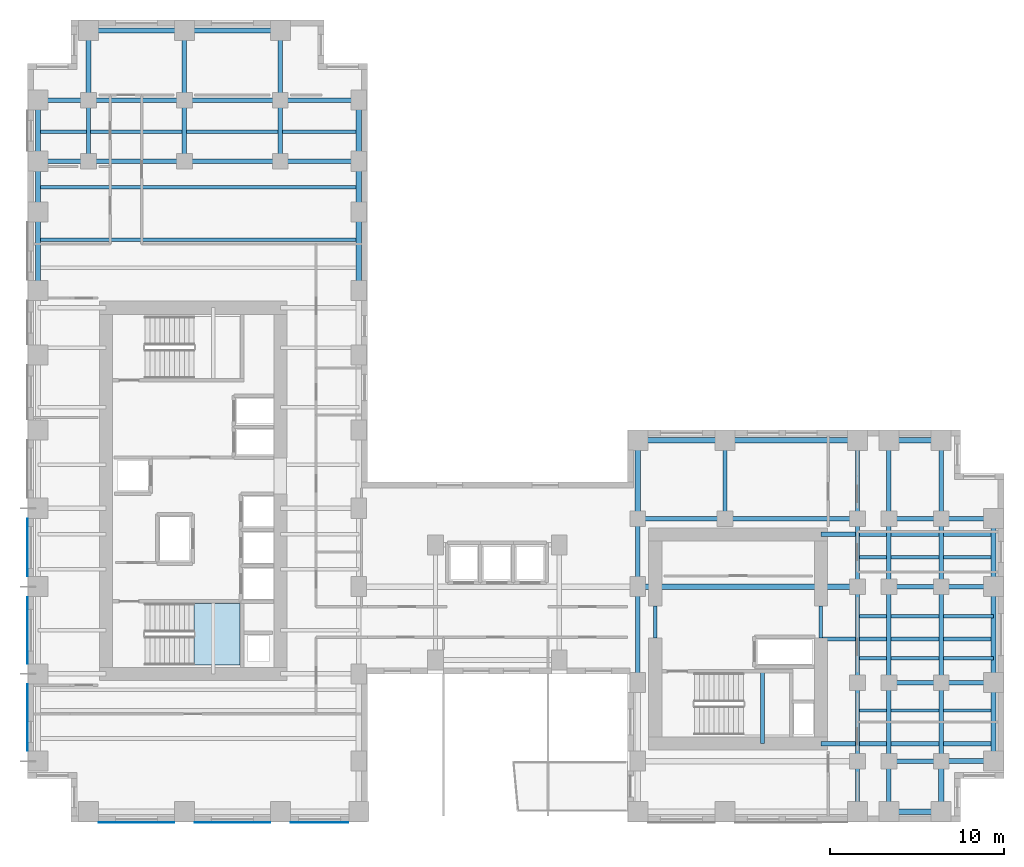
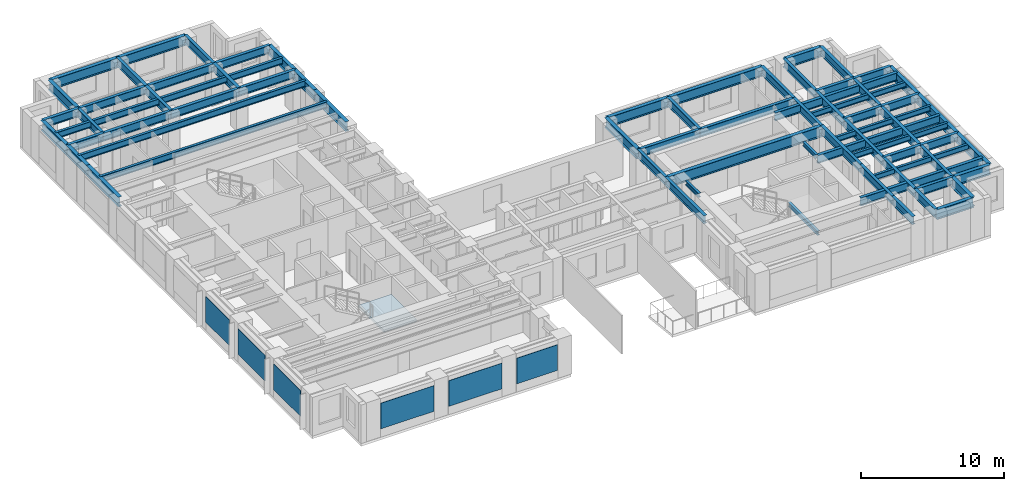
# One storey, part 2 of 12: 72 beams, 6 plates, 1 slab, 1 element without a shape of its own.
"""IFC4 building model written with IfcOpenShell, lengths in metres."""

import ifcopenshell
import ifcopenshell.guid

model = None  # the IFC model being written
_history = None  # IfcOwnerHistory: only IFC2X3 demands one
_inside = {}  # id of a spatial element -> (the spatial element, [elements in it])
_under = {}  # id of a project, library or spatial element -> (it, [spatial elements below it])
_declared = {}  # id of a project -> (the project, [libraries it declares])
_typed = {}  # id of a type object -> (the type object, [elements of that type])
_made_of = {}  # id of a material, layer set ... -> (it, [elements and type objects made of it])


def new_model(schema):
    """Start an empty IFC model of exactly this schema.

    Asked for "IFC4X3", IfcOpenShell would pick the latest addendum, in which some entities
    have other attributes; the version numbers below select the first issue.
    IFC2X3 requires an IfcOwnerHistory on every rooted entity: one is made here for all.
    """
    global model, _history
    if schema == "IFC4X3":
        model = ifcopenshell.file(schema_version=(4, 3, 0, 0))
    else:
        model = ifcopenshell.file(schema=schema)
    _inside.clear()
    _under.clear()
    _declared.clear()
    _typed.clear()
    _made_of.clear()
    _history = None
    if model.schema == "IFC2X3":
        org = make("IfcOrganization", Name="unknown")
        user = make(
            "IfcPersonAndOrganization",
            ThePerson=make("IfcPerson", FamilyName="unknown"),
            TheOrganization=org,
        )
        app = make(
            "IfcApplication",
            ApplicationDeveloper=org,
            Version="unknown",
            ApplicationFullName="unknown",
            ApplicationIdentifier="unknown",
        )
        _history = make(
            "IfcOwnerHistory",
            OwningUser=user,
            OwningApplication=app,
            ChangeAction="ADDED",
            CreationDate=0,
        )
    return model


def make(cls, **values):
    """One entity of the class cls with the attributes given. An attribute that is None is left unset."""
    return model.create_entity(
        cls, **{name: value for name, value in values.items() if value is not None}
    )


def rooted(cls, **values):
    """An entity with a GlobalId (a new one), such as an element, a storey or a relation."""
    return make(cls, GlobalId=ifcopenshell.guid.new(), OwnerHistory=_history, **values)


def si_unit(unit_type, name, prefix=None):
    """IfcSIUnit, for example si_unit("LENGTHUNIT", "METRE", prefix="MILLI")."""
    return make("IfcSIUnit", UnitType=unit_type, Prefix=prefix, Name=name)


def assignment(units):
    """IfcUnitAssignment: the units of a project."""
    return None if units is None else make("IfcUnitAssignment", Units=units)


def point(xyz):
    """IfcCartesianPoint."""
    return None if xyz is None else make("IfcCartesianPoint", Coordinates=xyz)


def direction(xyz):
    """IfcDirection."""
    return None if xyz is None else make("IfcDirection", DirectionRatios=xyz)


def frame(location, z_axis=None, x_axis=None):
    """IfcAxis2Placement3D, a coordinate frame: its origin and axes. An axis left out is left unset."""
    return make(
        "IfcAxis2Placement3D",
        Location=point(location),
        Axis=direction(z_axis),
        RefDirection=direction(x_axis),
    )


def frame_2d(location, x_axis=None):
    """IfcAxis2Placement2D, a coordinate frame in the plane: its origin and x axis."""
    return make(
        "IfcAxis2Placement2D", Location=point(location), RefDirection=direction(x_axis)
    )


def origin():
    """The frame at (0, 0, 0) with its axes left unset."""
    return frame((0.0, 0.0, 0.0))


def origin_2d():
    """The frame at (0, 0) in the plane with its x axis left unset."""
    return frame_2d((0.0, 0.0))


def place(relative_to, where):
    """IfcLocalPlacement: puts the frame where relative to a parent placement (None: the world)."""
    return make(
        "IfcLocalPlacement", PlacementRelTo=relative_to, RelativePlacement=where
    )


def context(
    kind, dimensions, precision=None, world=None, true_north=None, identifier=None
):
    """IfcGeometricRepresentationContext, for example the 3D "Model" context."""
    return make(
        "IfcGeometricRepresentationContext",
        ContextIdentifier=identifier,
        ContextType=kind,
        CoordinateSpaceDimension=dimensions,
        Precision=precision,
        WorldCoordinateSystem=world,
        TrueNorth=true_north,
    )


def subcontext(parent, identifier, kind, view, scale=None):
    """IfcGeometricRepresentationSubContext, for example "Body" below "Model"."""
    return make(
        "IfcGeometricRepresentationSubContext",
        ContextIdentifier=identifier,
        ContextType=kind,
        ParentContext=parent,
        TargetScale=scale,
        TargetView=view,
    )


def project(units=None, contexts=None):
    """IfcProject with its units and contexts."""
    return rooted(
        "IfcProject",
        Name="project",
        RepresentationContexts=contexts,
        UnitsInContext=assignment(units),
    )


def spatial(cls, under=None, at=None, **own):
    """A site, building, storey or space (cls), placed at a placement, below another one or the project."""
    s = rooted(cls, ObjectPlacement=at, **own)
    if under is not None:
        _under.setdefault(under.id(), (under, []))[1].append(s)
    return s


def polyline(points):
    """IfcPolyline through the points."""
    return make("IfcPolyline", Points=[point(p) for p in points])


def profile(cls, at=None, kind="AREA", **sizes):
    """A parametric profile (cls). Its sizes go by their IFC names, for example OverallWidth=200.0."""
    return make(cls, ProfileType=kind, Position=at, **sizes)


def rectangle(**sizes):
    """IfcRectangleProfileDef."""
    return profile("IfcRectangleProfileDef", **sizes)


def i_section(**sizes):
    """IfcIShapeProfileDef."""
    return profile("IfcIShapeProfileDef", **sizes)


def outline(outer, holes=None, kind="AREA"):
    """IfcArbitraryClosedProfileDef: a profile drawn as a closed curve; with holes, ...WithVoids."""
    if holes is None:
        return make("IfcArbitraryClosedProfileDef", ProfileType=kind, OuterCurve=outer)
    return make(
        "IfcArbitraryProfileDefWithVoids",
        ProfileType=kind,
        OuterCurve=outer,
        InnerCurves=holes,
    )


def extrude(swept, where, along, depth):
    """IfcExtrudedAreaSolid: the profile swept, set in the frame where, extruded along a direction by depth."""
    return make(
        "IfcExtrudedAreaSolid",
        SweptArea=swept,
        Position=where,
        ExtrudedDirection=direction(along),
        Depth=depth,
    )


def shape(context_of_items, identifier, shape_type, items):
    """IfcShapeRepresentation: the items that make up one representation, for example the "Body"."""
    return make(
        "IfcShapeRepresentation",
        ContextOfItems=context_of_items,
        RepresentationIdentifier=identifier,
        RepresentationType=shape_type,
        Items=items,
    )


def source(mapping_origin, context_of_items, identifier, shape_type, items):
    """IfcRepresentationMap: a shape defined once, which mapped items show again and again."""
    return make(
        "IfcRepresentationMap",
        MappingOrigin=mapping_origin,
        MappedRepresentation=shape(context_of_items, identifier, shape_type, items),
    )


def transform(
    local_origin,
    x_axis=None,
    y_axis=None,
    z_axis=None,
    scale=None,
    scale2=None,
    scale3=None,
    uniform=True,
):
    """IfcCartesianTransformationOperator3D, or its non-uniform kind. x_axis, y_axis, z_axis: its Axis1, 2, 3."""
    if uniform:
        return make(
            "IfcCartesianTransformationOperator3D",
            Axis1=direction(x_axis),
            Axis2=direction(y_axis),
            LocalOrigin=point(local_origin),
            Scale=scale,
            Axis3=direction(z_axis),
        )
    return make(
        "IfcCartesianTransformationOperator3DnonUniform",
        Axis1=direction(x_axis),
        Axis2=direction(y_axis),
        LocalOrigin=point(local_origin),
        Scale=scale,
        Axis3=direction(z_axis),
        Scale2=scale2,
        Scale3=scale3,
    )


def mapped(mapping_source, mapping_target):
    """IfcMappedItem: shows the shape of a source again, moved by a transform."""
    return make(
        "IfcMappedItem", MappingSource=mapping_source, MappingTarget=mapping_target
    )


def material(Name=None, Category=None):
    """IfcMaterial."""
    return make("IfcMaterial", Name=Name, Category=Category)


def layer(
    of_material, thickness, ventilated=None, Name=None, Category=None, Priority=None
):
    """IfcMaterialLayer: one layer of a wall or slab, of a material (None: an air gap)."""
    return make(
        "IfcMaterialLayer",
        Material=of_material,
        LayerThickness=thickness,
        IsVentilated=ventilated,
        Name=Name,
        Category=Category,
        Priority=Priority,
    )


def layer_set(layers, Name=None):
    """IfcMaterialLayerSet."""
    return make("IfcMaterialLayerSet", MaterialLayers=layers, LayerSetName=Name)


def material_profile(
    of_material, cross_section, Name=None, Category=None, Priority=None
):
    """IfcMaterialProfile: a cross section and its material."""
    return make(
        "IfcMaterialProfile",
        Name=Name,
        Material=of_material,
        Profile=cross_section,
        Priority=Priority,
        Category=Category,
    )


def profile_set(profiles, Name=None, composite=None):
    """IfcMaterialProfileSet."""
    return make(
        "IfcMaterialProfileSet",
        Name=Name,
        MaterialProfiles=profiles,
        CompositeProfile=composite,
    )


def made_of(thing, what):
    """Note that an element or type object is made of a material, layer set ...; save() writes the relation."""
    if what is not None:
        _made_of.setdefault(what.id(), (what, []))[1].append(thing)
    return thing


def type_object(cls, material=None, **own):
    """A type object (cls), such as IfcWallType, which elements share."""
    return made_of(rooted(cls, **own), material)


def element(
    cls,
    number,
    at=None,
    inside=None,
    cuts=None,
    type_object=None,
    material=None,
    context=None,
    identifier="Body",
    shape_type=None,
    held_by="IfcProductDefinitionShape",
    body=None,
    shapes=None,
    **own,
):
    """One element of the class cls, such as IfcWall. Its Tag is "e" and its number.

    at: its placement. inside: the storey or other place that contains it. cuts: it is an
    opening in that element (IfcRelVoidsElement). A single representation is given by context,
    identifier, shape_type and body (its items); several are given by shapes. held_by: the class
    of the entity that holds the representations. save() writes the other relations.
    """
    e = rooted(cls, Tag="e%d" % number, ObjectPlacement=at, **own)
    if body is not None:
        shapes = [shape(context, identifier, shape_type, body)]
    if shapes is not None:
        e.Representation = make(held_by, Representations=shapes)
    if inside is not None:
        _inside.setdefault(inside.id(), (inside, []))[1].append(e)
    if cuts is not None:
        rooted(
            "IfcRelVoidsElement", RelatingBuildingElement=cuts, RelatedOpeningElement=e
        )
    if type_object is not None:
        _typed.setdefault(type_object.id(), (type_object, []))[1].append(e)
    return made_of(e, material)


def aggregate(whole, parts):
    """IfcRelAggregates: a whole, such as a stair, and the parts it consists of."""
    return rooted("IfcRelAggregates", RelatingObject=whole, RelatedObjects=parts)


def save(model, path):
    """Write the relations noted so far, then the file.

    IfcRelAggregates (storeys below a building ...), IfcRelContainedInSpatialStructure (elements
    in a storey), IfcRelDefinesByType, IfcRelAssociatesMaterial and IfcRelDeclares: one each for
    every whole, place, type object, material and project.
    """
    for whole, parts in _under.values():
        aggregate(whole, parts)
    for where, things in _inside.values():
        rooted(
            "IfcRelContainedInSpatialStructure",
            RelatedElements=things,
            RelatingStructure=where,
        )
    for kind, things in _typed.values():
        rooted("IfcRelDefinesByType", RelatedObjects=things, RelatingType=kind)
    for what, things in _made_of.values():
        rooted("IfcRelAssociatesMaterial", RelatedObjects=things, RelatingMaterial=what)
    for by, libraries in _declared.values():
        rooted("IfcRelDeclares", RelatingContext=by, RelatedDefinitions=libraries)
    model.write(path)


model = new_model("IFC4")

# Units and contexts
model_context = context("Model", 3, precision=1e-05, world=origin(), true_north=direction((0.0, 1.0)))
body_context = subcontext(model_context, "Body", "Model", "MODEL_VIEW")
ifc_project = project(units=[si_unit("LENGTHUNIT", "METRE"), si_unit("AREAUNIT", "SQUARE_METRE"), si_unit("VOLUMEUNIT", "CUBIC_METRE"), si_unit("PLANEANGLEUNIT", "RADIAN"), si_unit("MASSUNIT", "GRAM", prefix="KILO")], contexts=[model_context])

# Site, building, storey
site_placement = place(None, origin())
site = spatial("IfcSite", under=ifc_project, at=site_placement, CompositionType="ELEMENT")
building_placement = place(site_placement, origin())
building = spatial("IfcBuilding", under=site, at=building_placement, Name="Kharzan Plaza Tower", CompositionType="ELEMENT")
storey_placement = place(building_placement, frame((0.0, 0.0, 135.0)))
storey = spatial("IfcBuildingStorey", under=building, at=storey_placement, Name="L36", CompositionType="ELEMENT", Elevation=135.0)

# Beams
ifc_material_1 = material(Name="Steel S355", Category="steel")
ifc_material_profile_1 = material_profile(ifc_material_1, i_section(OverallWidth=0.205078125, OverallDepth=0.35400390625, WebThickness=0.009521484375, FlangeThickness=0.016845703125, at=origin_2d()), Name="W360x79")
ifc_profile_set_1 = profile_set([ifc_material_profile_1], Name="Steel S355")
beam_type_1 = type_object("IfcBeamType", Name="BM-LNT360", PredefinedType="LINTEL", material=ifc_profile_set_1)
shared_shape_1 = source(origin(), body_context, "Body", "SweptSolid", [
    extrude(i_section(OverallWidth=0.205078125, OverallDepth=0.35400390625, WebThickness=0.009521484375, FlangeThickness=0.016845703125, at=origin_2d()), origin(), (0.0, 0.0, 1.0), 1.849853515625),
])
for number, where, z_axis, x_axis, name in (
    (1, (45.5, 10.550048828125, 3.14306640625), (0.0, 1.0, 0.0), (-1.0, 0.0, 0.0), "L36 CORE-B coupling lintel LN1-WE"),
    (2, (36.0, 10.550048828125, 3.14306640625), (0.0, 1.0, 0.0), (-1.0, 0.0, 0.0), "L36 CORE-B coupling lintel LN1-WW"),
):
    element("IfcBeam", number, at=place(storey_placement, frame(where, z_axis=z_axis, x_axis=x_axis)), inside=storey, type_object=beam_type_1, Name=name, PredefinedType="LINTEL", context=body_context, shape_type="MappedRepresentation", body=[
        mapped(shared_shape_1, transform((0.0, 0.0, 0.0), x_axis=(1.0, 0.0, 0.0), y_axis=(0.0, 1.0, 0.0), z_axis=(0.0, 0.0, 1.0))),
    ])
shared_shape_2 = source(origin(), body_context, "Body", "SweptSolid", [
    extrude(i_section(OverallWidth=0.205078125, OverallDepth=0.35400390625, WebThickness=0.009521484375, FlangeThickness=0.016845703125, at=origin_2d()), origin(), (0.0, 0.0, 1.0), 4.155029296875),
])
beam_1_placement = place(storey_placement, frame((42.14990234375, 4.5, 1.423095703125), z_axis=(0.0, 1.0, 0.0), x_axis=(-1.0, 0.0, 0.0)))
element("IfcBeam", 3, at=beam_1_placement, inside=storey, type_object=beam_type_1, Name="L36 Stair ST-3 Half-Landing Beam", PredefinedType="LINTEL", context=body_context, shape_type="MappedRepresentation", body=[
    mapped(shared_shape_2, transform((0.0, 0.0, 0.0), x_axis=(1.0, 0.0, 0.0), y_axis=(0.0, 1.0, 0.0), z_axis=(0.0, 0.0, 1.0))),
])
ifc_material_profile_2 = material_profile(ifc_material_1, i_section(OverallWidth=0.304931640625, OverallDepth=0.9189453125, WebThickness=0.017333984375, FlangeThickness=0.02783203125, at=origin_2d()), Name="W920x253")
ifc_profile_set_2 = profile_set([ifc_material_profile_2], Name="Steel S355")
beam_type_2 = type_object("IfcBeamType", Name="BM-FG920B", PredefinedType="BEAM", material=ifc_profile_set_2)
shared_shape_3 = source(origin(), body_context, "Body", "SweptSolid", [
    extrude(i_section(OverallWidth=0.304931640625, OverallDepth=0.9189453125, WebThickness=0.017333984375, FlangeThickness=0.02783203125, at=origin_2d()), origin(), (0.0, 0.0, 1.0), 12.60009765625),
])
beam_2_placement = place(storey_placement, frame((35.0, 13.5, 2.860595703125), z_axis=(1.0, 0.0, 0.0), x_axis=(0.0, 1.0, 0.0)))
element("IfcBeam", 4, at=beam_2_placement, inside=storey, type_object=beam_type_2, Name="L36 Primary Floor Girder", PredefinedType="BEAM", context=body_context, shape_type="MappedRepresentation", body=[
    mapped(shared_shape_3, transform((0.0, 0.0, 0.0), x_axis=(1.0, 0.0, 0.0), y_axis=(0.0, 1.0, 0.0), z_axis=(0.0, 0.0, 1.0))),
])
ifc_material_profile_3 = material_profile(ifc_material_1, i_section(OverallWidth=0.2099609375, OverallDepth=0.537109375, WebThickness=0.010986328125, FlangeThickness=0.017333984375, at=origin_2d()), Name="W530x101")
ifc_profile_set_3 = profile_set([ifc_material_profile_3], Name="Steel S355")
beam_type_3 = type_object("IfcBeamType", Name="BM-JST530B", PredefinedType="JOIST", material=ifc_profile_set_3)
shared_shape_4 = source(origin(), body_context, "Body", "SweptSolid", [
    extrude(i_section(OverallWidth=0.2099609375, OverallDepth=0.537109375, WebThickness=0.010986328125, FlangeThickness=0.017333984375, at=origin_2d()), origin(), (0.0, 0.0, 1.0), 18.39990234375),
])
for number, where, z_axis, x_axis, name in (
    (5, (0.60009765625, 33.39990234375, 3.051513671875), (1.0, 0.0, 0.0), (0.0, 1.0, 0.0), "L36 Wing A Composite Joist 05"),
    (6, (0.60009765625, 36.39990234375, 3.051513671875), (1.0, 0.0, 0.0), (0.0, 1.0, 0.0), "L36 Wing A Composite Joist 06"),
    (7, (0.60009765625, 39.60009765625, 3.051513671875), (1.0, 0.0, 0.0), (0.0, 1.0, 0.0), "L36 Wing A Composite Joist 07"),
):
    element("IfcBeam", number, at=place(storey_placement, frame(where, z_axis=z_axis, x_axis=x_axis)), inside=storey, type_object=beam_type_3, Name=name, PredefinedType="JOIST", context=body_context, shape_type="MappedRepresentation", body=[
        mapped(shared_shape_4, transform((0.0, 0.0, 0.0), x_axis=(1.0, 0.0, 0.0), y_axis=(0.0, 1.0, 0.0), z_axis=(0.0, 0.0, 1.0))),
    ])
ifc_material_profile_4 = material_profile(ifc_material_1, i_section(OverallWidth=0.25390625, OverallDepth=0.68798828125, WebThickness=0.01318359375, FlangeThickness=0.02099609375, at=origin_2d()), Name="W690x152")
ifc_profile_set_4 = profile_set([ifc_material_profile_4], Name="Steel S355")
beam_type_4 = type_object("IfcBeamType", Name="BM-FG690B", PredefinedType="BEAM", material=ifc_profile_set_4)
shared_shape_5 = source(origin(), body_context, "Body", "SweptSolid", [
    extrude(i_section(OverallWidth=0.25390625, OverallDepth=0.68798828125, WebThickness=0.01318359375, FlangeThickness=0.02099609375, at=origin_2d()), origin(), (0.0, 0.0, 1.0), 4.5),
])
for number, where, z_axis, x_axis, name in (
    (8, (40.0, 17.39990234375, 2.97607421875), (0.0, 1.0, 0.0), (-1.0, 0.0, 0.0), "L36 Interior Frame Girder"),
    (9, (47.60009765625, 3.5, 2.97607421875), (0.0, 1.0, 0.0), (-1.0, 0.0, 0.0), "L36 Interior Frame Girder"),
    (10, (47.60009765625, 17.39990234375, 2.97607421875), (0.0, 1.0, 0.0), (-1.0, 0.0, 0.0), "L36 Interior Frame Girder"),
    (11, (49.39990234375, 3.5, 2.97607421875), (0.0, 1.0, 0.0), (-1.0, 0.0, 0.0), "L36 Interior Frame Girder"),
    (12, (49.39990234375, 17.39990234375, 2.97607421875), (0.0, 1.0, 0.0), (-1.0, 0.0, 0.0), "L36 Interior Frame Girder"),
    (13, (52.39990234375, 3.5, 2.97607421875), (0.0, 1.0, 0.0), (-1.0, 0.0, 0.0), "L36 Interior Frame Girder"),
    (14, (52.39990234375, 17.39990234375, 2.97607421875), (0.0, 1.0, 0.0), (-1.0, 0.0, 0.0), "L36 Interior Frame Girder"),
    (15, (14.5, 37.89990234375, 2.97607421875), (1.0, 0.0, 0.0), (0.0, 1.0, 0.0), "L36 Primary Floor Girder"),
    (16, (14.5, 41.39990234375, 2.97607421875), (1.0, 0.0, 0.0), (0.0, 1.0, 0.0), "L36 Primary Floor Girder"),
):
    element("IfcBeam", number, at=place(storey_placement, frame(where, z_axis=z_axis, x_axis=x_axis)), inside=storey, type_object=beam_type_4, Name=name, PredefinedType="BEAM", context=body_context, shape_type="MappedRepresentation", body=[
        mapped(shared_shape_5, transform((0.0, 0.0, 0.0), x_axis=(1.0, 0.0, 0.0), y_axis=(0.0, 1.0, 0.0), z_axis=(0.0, 0.0, 1.0))),
    ])
shared_shape_6 = source(origin(), body_context, "Body", "SweptSolid", [
    extrude(i_section(OverallWidth=0.25390625, OverallDepth=0.68798828125, WebThickness=0.01318359375, FlangeThickness=0.02099609375, at=origin_2d()), origin(), (0.0, 0.0, 1.0), 3.89990234375),
])
for number, where, z_axis, x_axis, name in (
    (17, (35.0, 13.5, 2.97607421875), (0.0, 1.0, 0.0), (-1.0, 0.0, 0.0), "L36 Interior Frame Girder"),
    (18, (47.60009765625, 13.5, 2.97607421875), (0.0, 1.0, 0.0), (-1.0, 0.0, 0.0), "L36 Interior Frame Girder"),
    (19, (49.39990234375, 13.5, 2.97607421875), (0.0, 1.0, 0.0), (-1.0, 0.0, 0.0), "L36 Interior Frame Girder"),
    (20, (52.39990234375, 13.5, 2.97607421875), (0.0, 1.0, 0.0), (-1.0, 0.0, 0.0), "L36 Interior Frame Girder"),
):
    element("IfcBeam", number, at=place(storey_placement, frame(where, z_axis=z_axis, x_axis=x_axis)), inside=storey, type_object=beam_type_4, Name=name, PredefinedType="BEAM", context=body_context, shape_type="MappedRepresentation", body=[
        mapped(shared_shape_6, transform((0.0, 0.0, 0.0), x_axis=(1.0, 0.0, 0.0), y_axis=(0.0, 1.0, 0.0), z_axis=(0.0, 0.0, 1.0))),
    ])
shared_shape_7 = source(origin(), body_context, "Body", "SweptSolid", [
    extrude(i_section(OverallWidth=0.25390625, OverallDepth=0.68798828125, WebThickness=0.01318359375, FlangeThickness=0.02099609375, at=origin_2d()), origin(), (0.0, 0.0, 1.0), 9.89990234375),
])
for number, where, z_axis, x_axis, name in (
    (21, (45.5, 4.5, 2.97607421875), (1.0, 0.0, 0.0), (0.0, 1.0, 0.0), "L36 Core-B East Floor Girder 1"),
    (22, (45.5, 10.5, 2.97607421875), (1.0, 0.0, 0.0), (0.0, 1.0, 0.0), "L36 Core-B East Floor Girder 2"),
    (23, (45.5, 16.5, 2.97607421875), (1.0, 0.0, 0.0), (0.0, 1.0, 0.0), "L36 Core-B East Floor Girder 3"),
):
    element("IfcBeam", number, at=place(storey_placement, frame(where, z_axis=z_axis, x_axis=x_axis)), inside=storey, type_object=beam_type_4, Name=name, PredefinedType="BEAM", context=body_context, shape_type="MappedRepresentation", body=[
        mapped(shared_shape_7, transform((0.0, 0.0, 0.0), x_axis=(1.0, 0.0, 0.0), y_axis=(0.0, 1.0, 0.0), z_axis=(0.0, 0.0, 1.0))),
    ])
shared_shape_8 = source(origin(), body_context, "Body", "SweptSolid", [
    extrude(i_section(OverallWidth=0.25390625, OverallDepth=0.68798828125, WebThickness=0.01318359375, FlangeThickness=0.02099609375, at=origin_2d()), origin(), (0.0, 0.0, 1.0), 3.5),
])
for number, where, z_axis, x_axis, name in (
    (24, (3.5, 37.89990234375, 2.97607421875), (0.0, 1.0, 0.0), (-1.0, 0.0, 0.0), "L36 Interior Frame Girder"),
    (25, (9.0, 37.89990234375, 2.97607421875), (0.0, 1.0, 0.0), (-1.0, 0.0, 0.0), "L36 Interior Frame Girder"),
    (26, (14.5, 37.89990234375, 2.97607421875), (0.0, 1.0, 0.0), (-1.0, 0.0, 0.0), "L36 Interior Frame Girder"),
):
    element("IfcBeam", number, at=place(storey_placement, frame(where, z_axis=z_axis, x_axis=x_axis)), inside=storey, type_object=beam_type_4, Name=name, PredefinedType="BEAM", context=body_context, shape_type="MappedRepresentation", body=[
        mapped(shared_shape_8, transform((0.0, 0.0, 0.0), x_axis=(1.0, 0.0, 0.0), y_axis=(0.0, 1.0, 0.0), z_axis=(0.0, 0.0, 1.0))),
    ])
shared_shape_9 = source(origin(), body_context, "Body", "SweptSolid", [
    extrude(i_section(OverallWidth=0.25390625, OverallDepth=0.68798828125, WebThickness=0.01318359375, FlangeThickness=0.02099609375, at=origin_2d()), origin(), (0.0, 0.0, 1.0), 4.0),
])
for number, where, z_axis, x_axis, name in (
    (27, (9.0, 41.39990234375, 2.97607421875), (0.0, 1.0, 0.0), (-1.0, 0.0, 0.0), "L36 Interior Frame Girder"),
    (28, (14.5, 41.39990234375, 2.97607421875), (0.0, 1.0, 0.0), (-1.0, 0.0, 0.0), "L36 Interior Frame Girder"),
):
    element("IfcBeam", number, at=place(storey_placement, frame(where, z_axis=z_axis, x_axis=x_axis)), inside=storey, type_object=beam_type_4, Name=name, PredefinedType="BEAM", context=body_context, shape_type="MappedRepresentation", body=[
        mapped(shared_shape_9, transform((0.0, 0.0, 0.0), x_axis=(1.0, 0.0, 0.0), y_axis=(0.0, 1.0, 0.0), z_axis=(0.0, 0.0, 1.0))),
    ])
shared_shape_10 = source(origin(), body_context, "Body", "SweptSolid", [
    extrude(i_section(OverallWidth=0.25390625, OverallDepth=0.68798828125, WebThickness=0.01318359375, FlangeThickness=0.02099609375, at=origin_2d()), origin(), (0.0, 0.0, 1.0), 5.0),
])
beam_3_placement = place(storey_placement, frame((35.0, 17.39990234375, 2.97607421875), z_axis=(1.0, 0.0, 0.0), x_axis=(0.0, 1.0, 0.0)))
element("IfcBeam", 29, at=beam_3_placement, inside=storey, type_object=beam_type_4, Name="L36 Primary Floor Girder", PredefinedType="BEAM", context=body_context, shape_type="MappedRepresentation", body=[
    mapped(shared_shape_10, transform((0.0, 0.0, 0.0), x_axis=(1.0, 0.0, 0.0), y_axis=(0.0, 1.0, 0.0), z_axis=(0.0, 0.0, 1.0))),
])
shared_shape_11 = source(origin(), body_context, "Body", "SweptSolid", [
    extrude(i_section(OverallWidth=0.25390625, OverallDepth=0.68798828125, WebThickness=0.01318359375, FlangeThickness=0.02099609375, at=origin_2d()), origin(), (0.0, 0.0, 1.0), 5.5),
])
for number, where, z_axis, x_axis, name in (
    (30, (35.0, 8.0, 2.97607421875), (0.0, 1.0, 0.0), (-1.0, 0.0, 0.0), "L36 Interior Frame Girder"),
    (31, (47.60009765625, 8.0, 2.97607421875), (0.0, 1.0, 0.0), (-1.0, 0.0, 0.0), "L36 Interior Frame Girder"),
    (32, (49.39990234375, 8.0, 2.97607421875), (0.0, 1.0, 0.0), (-1.0, 0.0, 0.0), "L36 Interior Frame Girder"),
    (33, (52.39990234375, 8.0, 2.97607421875), (0.0, 1.0, 0.0), (-1.0, 0.0, 0.0), "L36 Interior Frame Girder"),
    (34, (3.5, 37.89990234375, 2.97607421875), (1.0, 0.0, 0.0), (0.0, 1.0, 0.0), "L36 Primary Floor Girder"),
    (35, (9.0, 37.89990234375, 2.97607421875), (1.0, 0.0, 0.0), (0.0, 1.0, 0.0), "L36 Primary Floor Girder"),
    (36, (3.5, 41.39990234375, 2.97607421875), (1.0, 0.0, 0.0), (0.0, 1.0, 0.0), "L36 Primary Floor Girder"),
    (37, (9.0, 41.39990234375, 2.97607421875), (1.0, 0.0, 0.0), (0.0, 1.0, 0.0), "L36 Primary Floor Girder"),
):
    element("IfcBeam", number, at=place(storey_placement, frame(where, z_axis=z_axis, x_axis=x_axis)), inside=storey, type_object=beam_type_4, Name=name, PredefinedType="BEAM", context=body_context, shape_type="MappedRepresentation", body=[
        mapped(shared_shape_11, transform((0.0, 0.0, 0.0), x_axis=(1.0, 0.0, 0.0), y_axis=(0.0, 1.0, 0.0), z_axis=(0.0, 0.0, 1.0))),
    ])
shared_shape_12 = source(origin(), body_context, "Body", "SweptSolid", [
    extrude(i_section(OverallWidth=0.25390625, OverallDepth=0.68798828125, WebThickness=0.01318359375, FlangeThickness=0.02099609375, at=origin_2d()), origin(), (0.0, 0.0, 1.0), 2.89990234375),
])
for number, where, z_axis, x_axis, name in (
    (38, (47.60009765625, 0.60009765625, 2.97607421875), (0.0, 1.0, 0.0), (-1.0, 0.0, 0.0), "L36 Interior Frame Girder"),
    (39, (49.39990234375, 0.60009765625, 2.97607421875), (0.0, 1.0, 0.0), (-1.0, 0.0, 0.0), "L36 Interior Frame Girder"),
    (40, (0.60009765625, 37.89990234375, 2.97607421875), (1.0, 0.0, 0.0), (0.0, 1.0, 0.0), "L36 Primary Floor Girder"),
    (41, (0.60009765625, 41.39990234375, 2.97607421875), (1.0, 0.0, 0.0), (0.0, 1.0, 0.0), "L36 Primary Floor Girder"),
):
    element("IfcBeam", number, at=place(storey_placement, frame(where, z_axis=z_axis, x_axis=x_axis)), inside=storey, type_object=beam_type_4, Name=name, PredefinedType="BEAM", context=body_context, shape_type="MappedRepresentation", body=[
        mapped(shared_shape_12, transform((0.0, 0.0, 0.0), x_axis=(1.0, 0.0, 0.0), y_axis=(0.0, 1.0, 0.0), z_axis=(0.0, 0.0, 1.0))),
    ])
shared_shape_13 = source(origin(), body_context, "Body", "SweptSolid", [
    extrude(i_section(OverallWidth=0.25390625, OverallDepth=0.68798828125, WebThickness=0.01318359375, FlangeThickness=0.02099609375, at=origin_2d()), origin(), (0.0, 0.0, 1.0), 3.0),
])
for number, where, z_axis, x_axis, name in (
    (42, (49.39990234375, 3.5, 2.97607421875), (1.0, 0.0, 0.0), (0.0, 1.0, 0.0), "L36 Primary Floor Girder"),
    (43, (49.39990234375, 8.0, 2.97607421875), (1.0, 0.0, 0.0), (0.0, 1.0, 0.0), "L36 Primary Floor Girder"),
    (44, (52.39990234375, 8.0, 2.97607421875), (1.0, 0.0, 0.0), (0.0, 1.0, 0.0), "L36 Primary Floor Girder"),
    (45, (49.39990234375, 13.5, 2.97607421875), (1.0, 0.0, 0.0), (0.0, 1.0, 0.0), "L36 Primary Floor Girder"),
    (46, (52.39990234375, 13.5, 2.97607421875), (1.0, 0.0, 0.0), (0.0, 1.0, 0.0), "L36 Primary Floor Girder"),
    (47, (49.39990234375, 17.39990234375, 2.97607421875), (1.0, 0.0, 0.0), (0.0, 1.0, 0.0), "L36 Primary Floor Girder"),
    (48, (52.39990234375, 17.39990234375, 2.97607421875), (1.0, 0.0, 0.0), (0.0, 1.0, 0.0), "L36 Primary Floor Girder"),
):
    element("IfcBeam", number, at=place(storey_placement, frame(where, z_axis=z_axis, x_axis=x_axis)), inside=storey, type_object=beam_type_4, Name=name, PredefinedType="BEAM", context=body_context, shape_type="MappedRepresentation", body=[
        mapped(shared_shape_13, transform((0.0, 0.0, 0.0), x_axis=(1.0, 0.0, 0.0), y_axis=(0.0, 1.0, 0.0), z_axis=(0.0, 0.0, 1.0))),
    ])
shared_shape_14 = source(origin(), body_context, "Body", "SweptSolid", [
    extrude(i_section(OverallWidth=0.25390625, OverallDepth=0.68798828125, WebThickness=0.01318359375, FlangeThickness=0.02099609375, at=origin_2d()), origin(), (0.0, 0.0, 1.0), 7.60009765625),
])
beam_4_placement = place(storey_placement, frame((40.0, 17.39990234375, 2.97607421875), z_axis=(1.0, 0.0, 0.0), x_axis=(0.0, 1.0, 0.0)))
element("IfcBeam", 49, at=beam_4_placement, inside=storey, type_object=beam_type_4, Name="L36 Primary Floor Girder", PredefinedType="BEAM", context=body_context, shape_type="MappedRepresentation", body=[
    mapped(shared_shape_14, transform((0.0, 0.0, 0.0), x_axis=(1.0, 0.0, 0.0), y_axis=(0.0, 1.0, 0.0), z_axis=(0.0, 0.0, 1.0))),
])
ifc_material_profile_5 = material_profile(ifc_material_1, i_section(OverallWidth=0.194091796875, OverallDepth=0.468994140625, WebThickness=0.011474609375, FlangeThickness=0.0205078125, at=origin_2d()), Name="W460x106")
ifc_profile_set_5 = profile_set([ifc_material_profile_5], Name="Steel S355")
beam_type_5 = type_object("IfcBeamType", Name="BM-JST460", PredefinedType="JOIST", material=ifc_profile_set_5)
shared_shape_15 = source(origin(), body_context, "Body", "SweptSolid", [
    extrude(i_section(OverallWidth=0.194091796875, OverallDepth=0.468994140625, WebThickness=0.011474609375, FlangeThickness=0.0205078125, at=origin_2d()), origin(), (0.0, 0.0, 1.0), 7.7998046875),
])
for number, where, z_axis, x_axis, name in (
    (50, (47.60009765625, 6.39990234375, 3.08544921875), (1.0, 0.0, 0.0), (0.0, 1.0, 0.0), "L36 Wing B Composite Joist 02"),
    (51, (47.60009765625, 9.39990234375, 3.08544921875), (1.0, 0.0, 0.0), (0.0, 1.0, 0.0), "L36 Wing B Composite Joist 03"),
    (52, (47.60009765625, 11.800048828125, 3.08544921875), (1.0, 0.0, 0.0), (0.0, 1.0, 0.0), "L36 Wing B Composite Joist 04"),
    (53, (47.60009765625, 15.199951171875, 3.08544921875), (1.0, 0.0, 0.0), (0.0, 1.0, 0.0), "L36 Wing B Composite Joist 05"),
):
    element("IfcBeam", number, at=place(storey_placement, frame(where, z_axis=z_axis, x_axis=x_axis)), inside=storey, type_object=beam_type_5, Name=name, PredefinedType="JOIST", context=body_context, shape_type="MappedRepresentation", body=[
        mapped(shared_shape_15, transform((0.0, 0.0, 0.0), x_axis=(1.0, 0.0, 0.0), y_axis=(0.0, 1.0, 0.0), z_axis=(0.0, 0.0, 1.0))),
    ])
ifc_material_profile_6 = material_profile(ifc_material_1, i_section(OverallWidth=0.299072265625, OverallDepth=0.845947265625, WebThickness=0.015380859375, FlangeThickness=0.0244140625, at=origin_2d()), Name="W840x210")
ifc_profile_set_6 = profile_set([ifc_material_profile_6], Name="Steel S355")
beam_type_6 = type_object("IfcBeamType", Name="BM-SP840B", PredefinedType="SPANDREL", material=ifc_profile_set_6)
shared_shape_16 = source(origin(), body_context, "Body", "SweptSolid", [
    extrude(i_section(OverallWidth=0.299072265625, OverallDepth=0.845947265625, WebThickness=0.015380859375, FlangeThickness=0.0244140625, at=origin_2d()), origin(), (0.0, 0.0, 1.0), 5.0),
])
beam_5_placement = place(storey_placement, frame((35.0, 21.89990234375, 2.89697265625), z_axis=(1.0, 0.0, 0.0), x_axis=(0.0, 1.0, 0.0)))
element("IfcBeam", 54, at=beam_5_placement, inside=storey, type_object=beam_type_6, Name="L36 Perimeter Tube Spandrel", PredefinedType="SPANDREL", context=body_context, shape_type="MappedRepresentation", body=[
    mapped(shared_shape_16, transform((0.0, 0.0, 0.0), x_axis=(1.0, 0.0, 0.0), y_axis=(0.0, 1.0, 0.0), z_axis=(0.0, 0.0, 1.0))),
])
shared_shape_17 = source(origin(), body_context, "Body", "SweptSolid", [
    extrude(i_section(OverallWidth=0.299072265625, OverallDepth=0.845947265625, WebThickness=0.015380859375, FlangeThickness=0.0244140625, at=origin_2d()), origin(), (0.0, 0.0, 1.0), 4.5),
])
for number, where, z_axis, x_axis, name in (
    (55, (0.60009765625, 30.5, 2.89697265625), (0.0, 1.0, 0.0), (-1.0, 0.0, 0.0), "L36 Perimeter Tube Spandrel"),
    (56, (19.0, 30.5, 2.89697265625), (0.0, 1.0, 0.0), (-1.0, 0.0, 0.0), "L36 Perimeter Tube Spandrel"),
    (57, (35.0, 17.39990234375, 2.89697265625), (0.0, 1.0, 0.0), (-1.0, 0.0, 0.0), "L36 Perimeter Tube Spandrel"),
    (58, (55.39990234375, 3.5, 2.89697265625), (0.0, 1.0, 0.0), (-1.0, 0.0, 0.0), "L36 Perimeter Tube Spandrel"),
):
    element("IfcBeam", number, at=place(storey_placement, frame(where, z_axis=z_axis, x_axis=x_axis)), inside=storey, type_object=beam_type_6, Name=name, PredefinedType="SPANDREL", context=body_context, shape_type="MappedRepresentation", body=[
        mapped(shared_shape_17, transform((0.0, 0.0, 0.0), x_axis=(1.0, 0.0, 0.0), y_axis=(0.0, 1.0, 0.0), z_axis=(0.0, 0.0, 1.0))),
    ])
shared_shape_18 = source(origin(), body_context, "Body", "SweptSolid", [
    extrude(i_section(OverallWidth=0.299072265625, OverallDepth=0.845947265625, WebThickness=0.015380859375, FlangeThickness=0.0244140625, at=origin_2d()), origin(), (0.0, 0.0, 1.0), 2.89990234375),
])
for number, where, z_axis, x_axis, name in (
    (59, (0.60009765625, 35.0, 2.89697265625), (0.0, 1.0, 0.0), (-1.0, 0.0, 0.0), "L36 Perimeter Tube Spandrel"),
    (60, (19.0, 35.0, 2.89697265625), (0.0, 1.0, 0.0), (-1.0, 0.0, 0.0), "L36 Perimeter Tube Spandrel"),
    (61, (52.39990234375, 0.60009765625, 2.89697265625), (0.0, 1.0, 0.0), (-1.0, 0.0, 0.0), "L36 Perimeter Tube Spandrel"),
):
    element("IfcBeam", number, at=place(storey_placement, frame(where, z_axis=z_axis, x_axis=x_axis)), inside=storey, type_object=beam_type_6, Name=name, PredefinedType="SPANDREL", context=body_context, shape_type="MappedRepresentation", body=[
        mapped(shared_shape_18, transform((0.0, 0.0, 0.0), x_axis=(1.0, 0.0, 0.0), y_axis=(0.0, 1.0, 0.0), z_axis=(0.0, 0.0, 1.0))),
    ])
shared_shape_19 = source(origin(), body_context, "Body", "SweptSolid", [
    extrude(i_section(OverallWidth=0.299072265625, OverallDepth=0.845947265625, WebThickness=0.015380859375, FlangeThickness=0.0244140625, at=origin_2d()), origin(), (0.0, 0.0, 1.0), 3.5),
])
for number, where, z_axis, x_axis, name in (
    (62, (0.60009765625, 37.89990234375, 2.89697265625), (0.0, 1.0, 0.0), (-1.0, 0.0, 0.0), "L36 Perimeter Tube Spandrel"),
    (63, (19.0, 37.89990234375, 2.89697265625), (0.0, 1.0, 0.0), (-1.0, 0.0, 0.0), "L36 Perimeter Tube Spandrel"),
):
    element("IfcBeam", number, at=place(storey_placement, frame(where, z_axis=z_axis, x_axis=x_axis)), inside=storey, type_object=beam_type_6, Name=name, PredefinedType="SPANDREL", context=body_context, shape_type="MappedRepresentation", body=[
        mapped(shared_shape_19, transform((0.0, 0.0, 0.0), x_axis=(1.0, 0.0, 0.0), y_axis=(0.0, 1.0, 0.0), z_axis=(0.0, 0.0, 1.0))),
    ])
shared_shape_20 = source(origin(), body_context, "Body", "SweptSolid", [
    extrude(i_section(OverallWidth=0.299072265625, OverallDepth=0.845947265625, WebThickness=0.015380859375, FlangeThickness=0.0244140625, at=origin_2d()), origin(), (0.0, 0.0, 1.0), 4.0),
])
beam_6_placement = place(storey_placement, frame((3.5, 41.39990234375, 2.89697265625), z_axis=(0.0, 1.0, 0.0), x_axis=(-1.0, 0.0, 0.0)))
element("IfcBeam", 64, at=beam_6_placement, inside=storey, type_object=beam_type_6, Name="L36 Perimeter Tube Spandrel", PredefinedType="SPANDREL", context=body_context, shape_type="MappedRepresentation", body=[
    mapped(shared_shape_20, transform((0.0, 0.0, 0.0), x_axis=(1.0, 0.0, 0.0), y_axis=(0.0, 1.0, 0.0), z_axis=(0.0, 0.0, 1.0))),
])
shared_shape_21 = source(origin(), body_context, "Body", "SweptSolid", [
    extrude(i_section(OverallWidth=0.299072265625, OverallDepth=0.845947265625, WebThickness=0.015380859375, FlangeThickness=0.0244140625, at=origin_2d()), origin(), (0.0, 0.0, 1.0), 5.5),
])
for number, where, z_axis, x_axis, name in (
    (65, (55.39990234375, 8.0, 2.89697265625), (0.0, 1.0, 0.0), (-1.0, 0.0, 0.0), "L36 Perimeter Tube Spandrel"),
    (66, (3.5, 45.39990234375, 2.89697265625), (1.0, 0.0, 0.0), (0.0, 1.0, 0.0), "L36 Perimeter Tube Spandrel"),
    (67, (9.0, 45.39990234375, 2.89697265625), (1.0, 0.0, 0.0), (0.0, 1.0, 0.0), "L36 Perimeter Tube Spandrel"),
):
    element("IfcBeam", number, at=place(storey_placement, frame(where, z_axis=z_axis, x_axis=x_axis)), inside=storey, type_object=beam_type_6, Name=name, PredefinedType="SPANDREL", context=body_context, shape_type="MappedRepresentation", body=[
        mapped(shared_shape_21, transform((0.0, 0.0, 0.0), x_axis=(1.0, 0.0, 0.0), y_axis=(0.0, 1.0, 0.0), z_axis=(0.0, 0.0, 1.0))),
    ])
shared_shape_22 = source(origin(), body_context, "Body", "SweptSolid", [
    extrude(i_section(OverallWidth=0.299072265625, OverallDepth=0.845947265625, WebThickness=0.015380859375, FlangeThickness=0.0244140625, at=origin_2d()), origin(), (0.0, 0.0, 1.0), 3.89990234375),
])
beam_7_placement = place(storey_placement, frame((55.39990234375, 13.5, 2.89697265625), z_axis=(0.0, 1.0, 0.0), x_axis=(-1.0, 0.0, 0.0)))
element("IfcBeam", 68, at=beam_7_placement, inside=storey, type_object=beam_type_6, Name="L36 Perimeter Tube Spandrel", PredefinedType="SPANDREL", context=body_context, shape_type="MappedRepresentation", body=[
    mapped(shared_shape_22, transform((0.0, 0.0, 0.0), x_axis=(1.0, 0.0, 0.0), y_axis=(0.0, 1.0, 0.0), z_axis=(0.0, 0.0, 1.0))),
])
shared_shape_23 = source(origin(), body_context, "Body", "SweptSolid", [
    extrude(i_section(OverallWidth=0.299072265625, OverallDepth=0.845947265625, WebThickness=0.015380859375, FlangeThickness=0.0244140625, at=origin_2d()), origin(), (0.0, 0.0, 1.0), 7.60009765625),
])
beam_8_placement = place(storey_placement, frame((40.0, 21.89990234375, 2.89697265625), z_axis=(1.0, 0.0, 0.0), x_axis=(0.0, 1.0, 0.0)))
element("IfcBeam", 69, at=beam_8_placement, inside=storey, type_object=beam_type_6, Name="L36 Perimeter Tube Spandrel", PredefinedType="SPANDREL", context=body_context, shape_type="MappedRepresentation", body=[
    mapped(shared_shape_23, transform((0.0, 0.0, 0.0), x_axis=(1.0, 0.0, 0.0), y_axis=(0.0, 1.0, 0.0), z_axis=(0.0, 0.0, 1.0))),
])
shared_shape_24 = source(origin(), body_context, "Body", "SweptSolid", [
    extrude(i_section(OverallWidth=0.299072265625, OverallDepth=0.845947265625, WebThickness=0.015380859375, FlangeThickness=0.0244140625, at=origin_2d()), origin(), (0.0, 0.0, 1.0), 3.0),
])
for number, where, z_axis, x_axis, name in (
    (70, (49.39990234375, 0.60009765625, 2.89697265625), (1.0, 0.0, 0.0), (0.0, 1.0, 0.0), "L36 Perimeter Tube Spandrel"),
    (71, (52.39990234375, 3.5, 2.89697265625), (1.0, 0.0, 0.0), (0.0, 1.0, 0.0), "L36 Perimeter Tube Spandrel"),
    (72, (49.39990234375, 21.89990234375, 2.89697265625), (1.0, 0.0, 0.0), (0.0, 1.0, 0.0), "L36 Perimeter Tube Spandrel"),
):
    element("IfcBeam", number, at=place(storey_placement, frame(where, z_axis=z_axis, x_axis=x_axis)), inside=storey, type_object=beam_type_6, Name=name, PredefinedType="SPANDREL", context=body_context, shape_type="MappedRepresentation", body=[
        mapped(shared_shape_24, transform((0.0, 0.0, 0.0), x_axis=(1.0, 0.0, 0.0), y_axis=(0.0, 1.0, 0.0), z_axis=(0.0, 0.0, 1.0))),
    ])

# Stair, slab
ifc_material_2 = material(Name="Concrete C40/50", Category="concrete")
stair_type = type_object("IfcStairType", Name="STR-ST-1", PredefinedType="HALF_TURN_STAIR", material=ifc_material_2)
stair_placement = place(storey_placement, origin())
stair = element("IfcStair", 73, at=stair_placement, inside=storey, type_object=stair_type, Name="L36 Protected Exit Stair ST-1", PredefinedType="HALF_TURN_STAIR")
ifc_layer_1 = layer(ifc_material_2, 0.219970703125)
ifc_layer_set_1 = layer_set([ifc_layer_1], Name="Concrete C40/50")
slab_type = type_object("IfcSlabType", Name="SL-LANDING-220", PredefinedType="LANDING", material=ifc_layer_set_1)
slab_placement = place(storey_placement, frame((0.0, 0.0, 1.60009765625)))
slab = element("IfcSlab", 74, at=slab_placement, type_object=slab_type, Name="ST-1 landing 1", PredefinedType="LANDING", context=body_context, shape_type="SweptSolid", body=[
    extrude(outline(polyline([(9.550048828125, 9.0), (12.199951171875, 9.0), (12.199951171875, 12.550048828125), (9.550048828125, 12.550048828125), (9.550048828125, 9.0)])), origin(), (0.0, 0.0, 1.0), 0.199951171875),
])
aggregate(stair, [slab])

# Plates
ifc_material_3 = material(Name="Perforated Bronze-Anodized Aluminium", Category="aluminium")
ifc_layer_2 = layer(ifc_material_3, 0.030029296875)
ifc_layer_set_2 = layer_set([ifc_layer_2], Name="Perforated Bronze-Anodized Aluminium")
plate_type = type_object("IfcPlateType", Name="PLT-MASH-SCREEN", PredefinedType="SHEET", material=ifc_layer_set_2)
shared_shape_25 = source(origin(), body_context, "Body", "SweptSolid", [
    extrude(rectangle(XDim=3.31396484375, YDim=0.030029296875, at=origin_2d()), origin(), (0.0, 0.0, 1.0), 2.199951171875),
])
for number, where, z_axis, x_axis, name in (
    (75, (-0.012939453125, 15.75, 0.72998046875), (0.0, 0.0, 1.0), (0.0, -1.0, 0.0), "L36 Perforated Mashrabiya Solar Screen"),
    (76, (16.75, -0.012939453125, 0.72998046875), (0.0, 0.0, 1.0), (1.0, 0.0, 0.0), "L36 Perforated Mashrabiya Solar Screen"),
):
    element("IfcPlate", number, at=place(storey_placement, frame(where, z_axis=z_axis, x_axis=x_axis)), inside=storey, type_object=plate_type, Name=name, PredefinedType="SHEET", context=body_context, shape_type="MappedRepresentation", body=[
        mapped(shared_shape_25, transform((0.0, 0.0, 0.0), x_axis=(1.0, 0.0, 0.0), y_axis=(0.0, 1.0, 0.0), z_axis=(0.0, 0.0, 1.0))),
    ])
shared_shape_26 = source(origin(), body_context, "Body", "SweptSolid", [
    extrude(rectangle(XDim=3.81396484375, YDim=0.030029296875, at=origin_2d()), origin(), (0.0, 0.0, 1.0), 2.199951171875),
])
for number, where, z_axis, x_axis, name in (
    (77, (-0.012939453125, 11.0, 0.72998046875), (0.0, 0.0, 1.0), (0.0, -1.0, 0.0), "L36 Perforated Mashrabiya Solar Screen"),
    (78, (-0.012939453125, 6.0, 0.72998046875), (0.0, 0.0, 1.0), (0.0, -1.0, 0.0), "L36 Perforated Mashrabiya Solar Screen"),
):
    element("IfcPlate", number, at=place(storey_placement, frame(where, z_axis=z_axis, x_axis=x_axis)), inside=storey, type_object=plate_type, Name=name, PredefinedType="SHEET", context=body_context, shape_type="MappedRepresentation", body=[
        mapped(shared_shape_26, transform((0.0, 0.0, 0.0), x_axis=(1.0, 0.0, 0.0), y_axis=(0.0, 1.0, 0.0), z_axis=(0.0, 0.0, 1.0))),
    ])
shared_shape_27 = source(origin(), body_context, "Body", "SweptSolid", [
    extrude(rectangle(XDim=4.31396484375, YDim=0.030029296875, at=origin_2d()), origin(), (0.0, 0.0, 1.0), 2.199951171875),
])
for number, where, z_axis, x_axis, name in (
    (79, (6.25, -0.012939453125, 0.72998046875), (0.0, 0.0, 1.0), (1.0, 0.0, 0.0), "L36 Perforated Mashrabiya Solar Screen"),
    (80, (11.75, -0.012939453125, 0.72998046875), (0.0, 0.0, 1.0), (1.0, 0.0, 0.0), "L36 Perforated Mashrabiya Solar Screen"),
):
    element("IfcPlate", number, at=place(storey_placement, frame(where, z_axis=z_axis, x_axis=x_axis)), inside=storey, type_object=plate_type, Name=name, PredefinedType="SHEET", context=body_context, shape_type="MappedRepresentation", body=[
        mapped(shared_shape_27, transform((0.0, 0.0, 0.0), x_axis=(1.0, 0.0, 0.0), y_axis=(0.0, 1.0, 0.0), z_axis=(0.0, 0.0, 1.0))),
    ])

save(model, "model.ifc")
